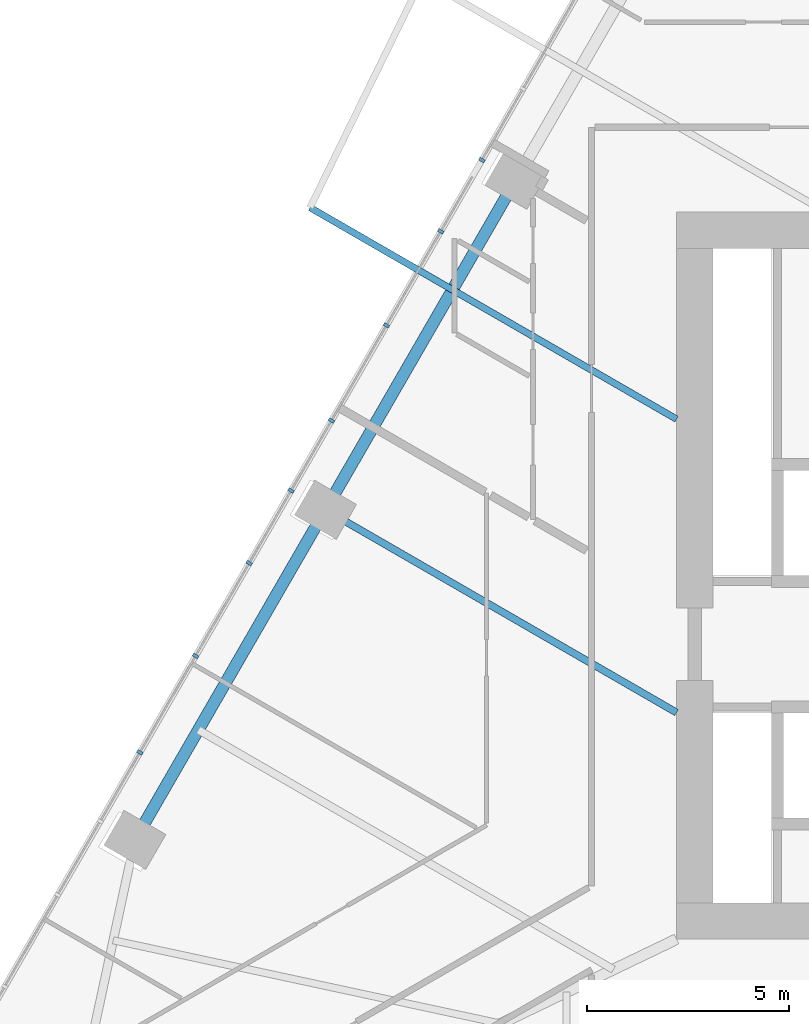
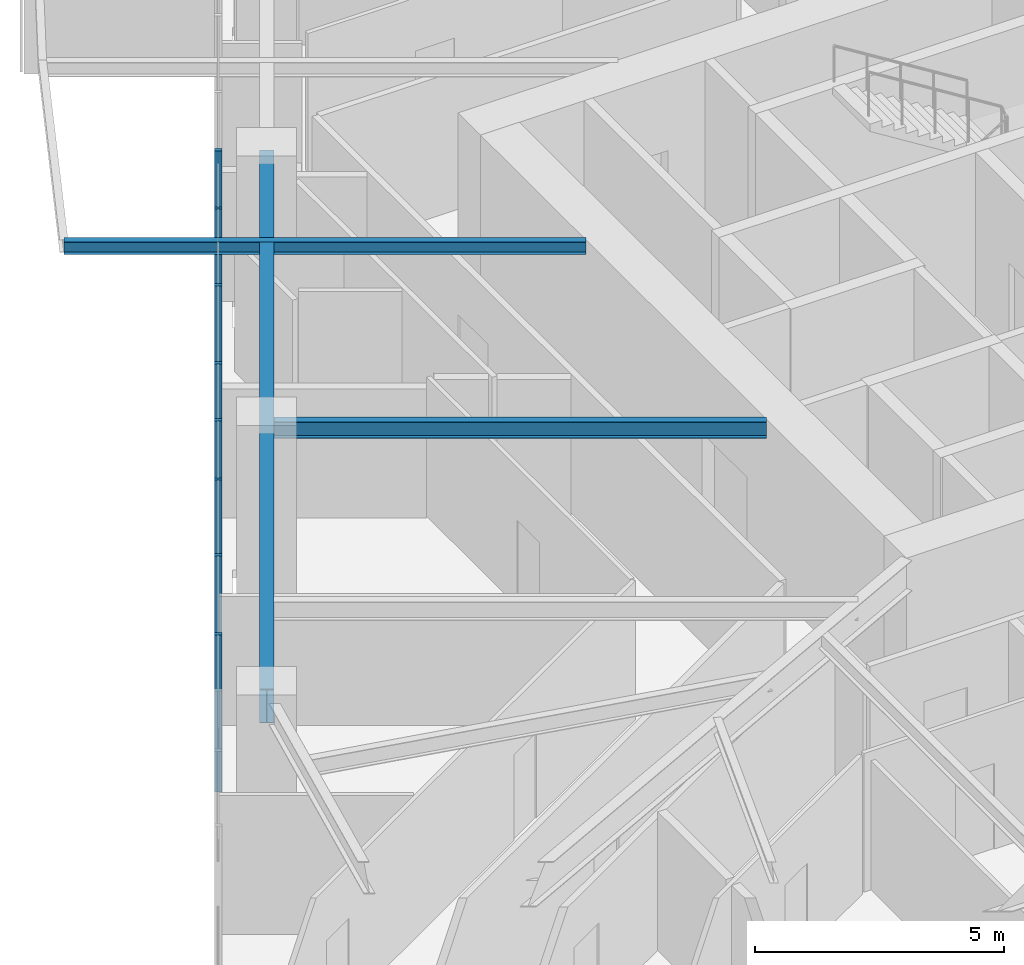
# One storey, part 4 of 29: 8 members, 3 beams, 1 element without a shape of its own.
"""IFC4 building model written with IfcOpenShell, lengths in metres."""

from ifc_helpers import new_model, si_unit, direction, frame, origin, origin_2d, place, context, subcontext, project, spatial, rectangle, i_section, extrude, material, layer, layer_set, material_profile, profile_set, type_object, element, aggregate, save


model = new_model("IFC4")

# Units and contexts
model_context = context("Model", 3, precision=1e-05, world=origin(), true_north=direction((0.0, 1.0)))
body_context = subcontext(model_context, "Body", "Model", "MODEL_VIEW")
ifc_project = project(units=[si_unit("LENGTHUNIT", "METRE"), si_unit("AREAUNIT", "SQUARE_METRE"), si_unit("VOLUMEUNIT", "CUBIC_METRE"), si_unit("PLANEANGLEUNIT", "RADIAN"), si_unit("MASSUNIT", "GRAM", prefix="KILO")], contexts=[model_context])

# Site, building, storey
site_placement = place(None, origin())
site = spatial("IfcSite", under=ifc_project, at=site_placement, CompositionType="ELEMENT")
building_placement = place(site_placement, origin())
building = spatial("IfcBuilding", under=site, at=building_placement, Name="Firuza Gate Tower and Library", CompositionType="ELEMENT")
storey_placement = place(building_placement, frame((0.0, 0.0, 82.0)))
storey = spatial("IfcBuildingStorey", under=building, at=storey_placement, Name="L18", CompositionType="ELEMENT", Elevation=82.0)

# Curtain wall, members
ifc_material_1 = material(Name="Aluminium 6063-T6", Category="aluminium")
ifc_layer = layer(ifc_material_1, 0.14990234375)
ifc_layer_set = layer_set([ifc_layer], Name="Unitised curtain wall, offices")
curtain_wall_type = type_object("IfcCurtainWallType", Name="Unitised curtain wall, offices", PredefinedType="NOTDEFINED", material=ifc_layer_set)
curtain_wall_placement = place(storey_placement, origin())
curtain_wall = element("IfcCurtainWall", 1, at=curtain_wall_placement, inside=storey, type_object=curtain_wall_type, Name="CW1 L18 W face", PredefinedType="NOTDEFINED")
ifc_material_2 = material(Name="Aluminium 6063-T6", Category="aluminium")
ifc_material_profile_1 = material_profile(ifc_material_2, rectangle(XDim=0.14990234375, YDim=0.080078125, at=origin_2d()))
ifc_profile_set_1 = profile_set([ifc_material_profile_1], Name="Aluminium 6063-T6")
member_type = type_object("IfcMemberType", Name="Curtain wall mullion 80x150", PredefinedType="MULLION", material=ifc_profile_set_1)
member_1_placement = place(storey_placement, frame((57.180908203125, 85.287841796875, 0.14990234375), z_axis=(0.0, 0.0, 1.0), x_axis=(0.866025403784, -0.5, 0.0)))
member_1 = element("IfcMember", 2, at=member_1_placement, type_object=member_type, Name="Mullion", PredefinedType="MULLION", context=body_context, shape_type="SweptSolid", body=[
    extrude(rectangle(XDim=0.14990234375, YDim=0.080078125, at=origin_2d()), origin(), (0.0, 0.0, 1.0), 3.85009765625),
])
member_2_placement = place(storey_placement, frame((54.818115234375, 81.19580078125, 0.14990234375), z_axis=(0.0, 0.0, 1.0), x_axis=(0.866025403784, -0.5, 0.0)))
member_2 = element("IfcMember", 3, at=member_2_placement, type_object=member_type, Name="Mullion", PredefinedType="MULLION", context=body_context, shape_type="SweptSolid", body=[
    extrude(rectangle(XDim=0.14990234375, YDim=0.080078125, at=origin_2d()), origin(), (0.0, 0.0, 1.0), 3.85009765625),
])
member_3_placement = place(storey_placement, frame((52.45556640625, 77.103515625, 0.14990234375), z_axis=(0.0, 0.0, 1.0), x_axis=(0.866025403784, -0.5, 0.0)))
member_3 = element("IfcMember", 4, at=member_3_placement, type_object=member_type, Name="Mullion", PredefinedType="MULLION", context=body_context, shape_type="SweptSolid", body=[
    extrude(rectangle(XDim=0.14990234375, YDim=0.080078125, at=origin_2d()), origin(), (0.0, 0.0, 1.0), 3.85009765625),
])
member_4_placement = place(storey_placement, frame((50.093017578125, 73.01123046875, 0.14990234375), z_axis=(0.0, 0.0, 1.0), x_axis=(0.866025403784, -0.5, 0.0)))
member_4 = element("IfcMember", 5, at=member_4_placement, type_object=member_type, Name="Mullion", PredefinedType="MULLION", context=body_context, shape_type="SweptSolid", body=[
    extrude(rectangle(XDim=0.14990234375, YDim=0.080078125, at=origin_2d()), origin(), (0.0, 0.0, 1.0), 3.85009765625),
])
member_5_placement = place(storey_placement, frame((56.162109375, 83.5234375, 0.14990234375), z_axis=(0.0, 0.0, 1.0), x_axis=(0.866025403784, -0.5, 0.0)))
member_5 = element("IfcMember", 6, at=member_5_placement, type_object=member_type, Name="Mullion", PredefinedType="MULLION", context=body_context, shape_type="SweptSolid", body=[
    extrude(rectangle(XDim=0.14990234375, YDim=0.080078125, at=origin_2d()), origin(), (0.0, 0.0, 1.0), 3.85009765625),
])
member_6_placement = place(storey_placement, frame((53.456787109375, 78.837646484375, 0.14990234375), z_axis=(0.0, 0.0, 1.0), x_axis=(0.866025403784, -0.5, 0.0)))
member_6 = element("IfcMember", 7, at=member_6_placement, type_object=member_type, Name="Mullion", PredefinedType="MULLION", context=body_context, shape_type="SweptSolid", body=[
    extrude(rectangle(XDim=0.14990234375, YDim=0.080078125, at=origin_2d()), origin(), (0.0, 0.0, 1.0), 3.85009765625),
])
member_7_placement = place(storey_placement, frame((51.41943359375, 75.30908203125, 0.14990234375), z_axis=(0.0, 0.0, 1.0), x_axis=(0.866025403784, -0.5, 0.0)))
member_7 = element("IfcMember", 8, at=member_7_placement, type_object=member_type, Name="Mullion", PredefinedType="MULLION", context=body_context, shape_type="SweptSolid", body=[
    extrude(rectangle(XDim=0.14990234375, YDim=0.080078125, at=origin_2d()), origin(), (0.0, 0.0, 1.0), 3.85009765625),
])
member_8_placement = place(storey_placement, frame((48.714111328125, 70.623291015625, 0.14990234375), z_axis=(0.0, 0.0, 1.0), x_axis=(0.866025403784, -0.5, 0.0)))
member_8 = element("IfcMember", 9, at=member_8_placement, type_object=member_type, Name="Mullion", PredefinedType="MULLION", context=body_context, shape_type="SweptSolid", body=[
    extrude(rectangle(XDim=0.14990234375, YDim=0.080078125, at=origin_2d()), origin(), (0.0, 0.0, 1.0), 3.85009765625),
])
aggregate(curtain_wall, [member_1, member_2, member_3, member_4, member_5, member_6, member_7, member_8])

# Beams
ifc_material_3 = material(Name="Steel S355", Category="steel")
ifc_material_profile_2 = material_profile(ifc_material_3, i_section(OverallWidth=0.1650390625, OverallDepth=0.31005859375, WebThickness=0.005859375, FlangeThickness=0.009765625, at=origin_2d()))
ifc_profile_set_2 = profile_set([ifc_material_profile_2], Name="Steel S355")
beam_type_1 = type_object("IfcBeamType", Name="W310x39 Floor beam", PredefinedType="JOIST", material=ifc_profile_set_2)
beam_1_placement = place(storey_placement, frame((52.927490234375, 84.111572265625, 3.844970703125), z_axis=(0.866024529413, -0.500001514452, 0.0), x_axis=(0.500001514452, 0.866024529413, 0.0)))
element("IfcBeam", 10, at=beam_1_placement, inside=storey, type_object=beam_type_1, Name="Floor beam L18 s83", PredefinedType="JOIST", context=body_context, shape_type="SweptSolid", body=[
    extrude(i_section(OverallWidth=0.1650390625, OverallDepth=0.31005859375, WebThickness=0.005859375, FlangeThickness=0.009765625, at=origin_2d()), origin(), (0.0, 0.0, 1.0), 10.47607421875),
])
ifc_material_4 = material(Name="Steel S355", Category="steel")
ifc_material_profile_3 = material_profile(ifc_material_4, i_section(OverallWidth=0.177978515625, OverallDepth=0.406982421875, WebThickness=0.0078125, FlangeThickness=0.0126953125, at=origin_2d()))
ifc_profile_set_3 = profile_set([ifc_material_profile_3], Name="Steel S355")
beam_type_2 = type_object("IfcBeamType", Name="W410x60 Floor beam", PredefinedType="JOIST", material=ifc_profile_set_3)
beam_2_placement = place(storey_placement, frame((53.30712890625, 76.62841796875, 3.79638671875), z_axis=(0.866026811742, -0.499997561338, 0.0), x_axis=(0.499997561338, 0.866026811742, 0.0)))
element("IfcBeam", 11, at=beam_2_placement, inside=storey, type_object=beam_type_2, Name="Floor beam L18 s84", PredefinedType="JOIST", context=body_context, shape_type="SweptSolid", body=[
    extrude(i_section(OverallWidth=0.177978515625, OverallDepth=0.406982421875, WebThickness=0.0078125, FlangeThickness=0.0126953125, at=origin_2d()), origin(), (0.0, 0.0, 1.0), 10.03759765625),
])
ifc_material_5 = material(Name="Steel S355", Category="steel")
ifc_material_profile_4 = material_profile(ifc_material_5, i_section(OverallWidth=0.2919921875, OverallDepth=0.8349609375, WebThickness=0.013916015625, FlangeThickness=0.018798828125, at=origin_2d()))
ifc_profile_set_4 = profile_set([ifc_material_profile_4], Name="Steel S355")
beam_type_3 = type_object("IfcBeamType", Name="W840x176 Edge beam", PredefinedType="SPANDREL", material=ifc_profile_set_4)
beam_3_placement = place(storey_placement, frame((58.025146484375, 84.80029296875, 3.58251953125), z_axis=(-0.499998676387, -0.866026167971, 0.0), x_axis=(0.866026167971, -0.499998676387, 0.0)))
element("IfcBeam", 12, at=beam_3_placement, inside=storey, type_object=beam_type_3, Name="Edge beam L18 e82", PredefinedType="SPANDREL", context=body_context, shape_type="SweptSolid", body=[
    extrude(i_section(OverallWidth=0.2919921875, OverallDepth=0.8349609375, WebThickness=0.013916015625, FlangeThickness=0.018798828125, at=origin_2d()), origin(), (0.0, 0.0, 1.0), 18.8720703125),
])

save(model, "model.ifc")
